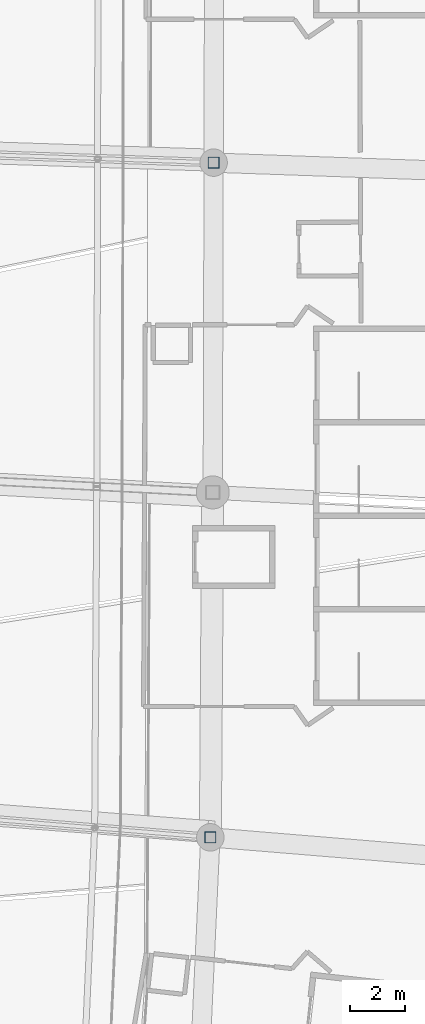
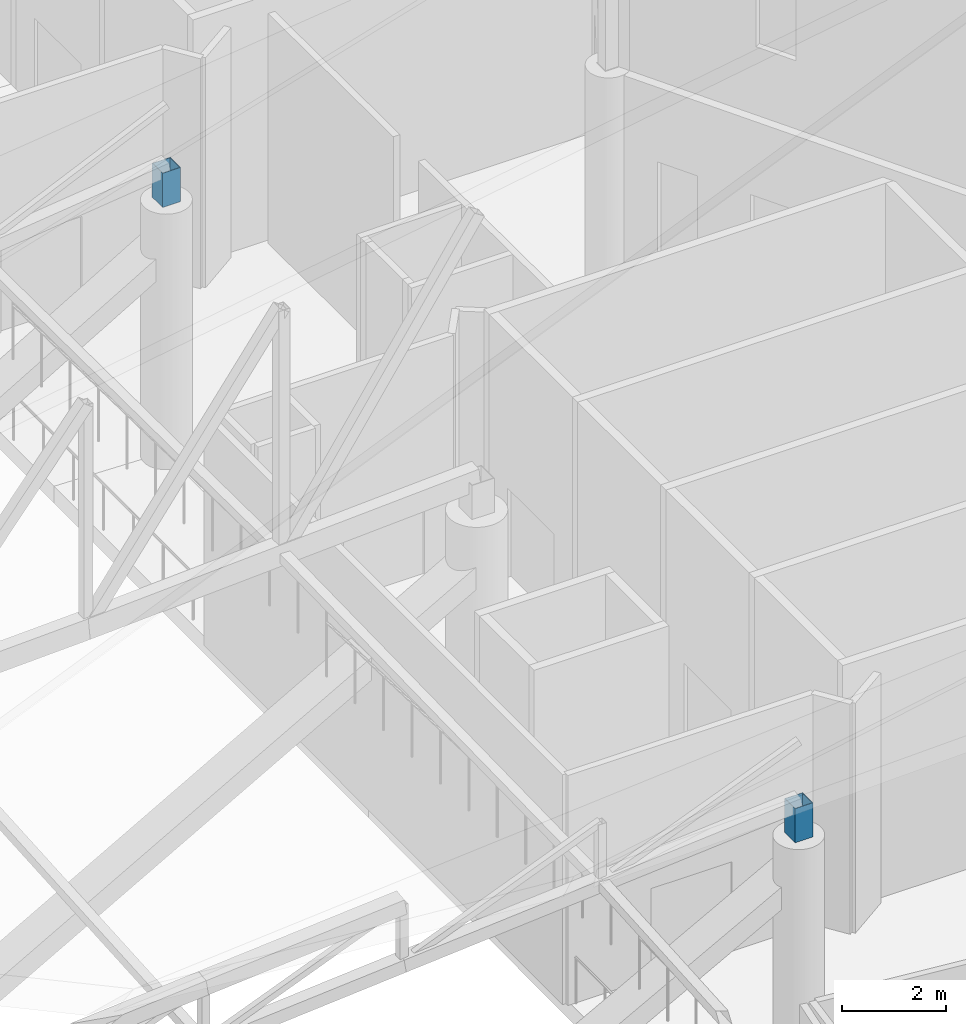
# One storey, part 215 of 344: 2 members.
"""IFC4 building model written with IfcOpenShell, lengths in metres."""

import ifcopenshell
import ifcopenshell.guid

model = None  # the IFC model being written
_history = None  # IfcOwnerHistory: only IFC2X3 demands one
_inside = {}  # id of a spatial element -> (the spatial element, [elements in it])
_under = {}  # id of a project, library or spatial element -> (it, [spatial elements below it])
_declared = {}  # id of a project -> (the project, [libraries it declares])
_typed = {}  # id of a type object -> (the type object, [elements of that type])
_made_of = {}  # id of a material, layer set ... -> (it, [elements and type objects made of it])


def new_model(schema):
    """Start an empty IFC model of exactly this schema.

    Asked for "IFC4X3", IfcOpenShell would pick the latest addendum, in which some entities
    have other attributes; the version numbers below select the first issue.
    IFC2X3 requires an IfcOwnerHistory on every rooted entity: one is made here for all.
    """
    global model, _history
    if schema == "IFC4X3":
        model = ifcopenshell.file(schema_version=(4, 3, 0, 0))
    else:
        model = ifcopenshell.file(schema=schema)
    _inside.clear()
    _under.clear()
    _declared.clear()
    _typed.clear()
    _made_of.clear()
    _history = None
    if model.schema == "IFC2X3":
        org = make("IfcOrganization", Name="unknown")
        user = make(
            "IfcPersonAndOrganization",
            ThePerson=make("IfcPerson", FamilyName="unknown"),
            TheOrganization=org,
        )
        app = make(
            "IfcApplication",
            ApplicationDeveloper=org,
            Version="unknown",
            ApplicationFullName="unknown",
            ApplicationIdentifier="unknown",
        )
        _history = make(
            "IfcOwnerHistory",
            OwningUser=user,
            OwningApplication=app,
            ChangeAction="ADDED",
            CreationDate=0,
        )
    return model


def make(cls, **values):
    """One entity of the class cls with the attributes given. An attribute that is None is left unset."""
    return model.create_entity(
        cls, **{name: value for name, value in values.items() if value is not None}
    )


def rooted(cls, **values):
    """An entity with a GlobalId (a new one), such as an element, a storey or a relation."""
    return make(cls, GlobalId=ifcopenshell.guid.new(), OwnerHistory=_history, **values)


def si_unit(unit_type, name, prefix=None):
    """IfcSIUnit, for example si_unit("LENGTHUNIT", "METRE", prefix="MILLI")."""
    return make("IfcSIUnit", UnitType=unit_type, Prefix=prefix, Name=name)


def assignment(units):
    """IfcUnitAssignment: the units of a project."""
    return None if units is None else make("IfcUnitAssignment", Units=units)


def point(xyz):
    """IfcCartesianPoint."""
    return None if xyz is None else make("IfcCartesianPoint", Coordinates=xyz)


def direction(xyz):
    """IfcDirection."""
    return None if xyz is None else make("IfcDirection", DirectionRatios=xyz)


def frame(location, z_axis=None, x_axis=None):
    """IfcAxis2Placement3D, a coordinate frame: its origin and axes. An axis left out is left unset."""
    return make(
        "IfcAxis2Placement3D",
        Location=point(location),
        Axis=direction(z_axis),
        RefDirection=direction(x_axis),
    )


def frame_2d(location, x_axis=None):
    """IfcAxis2Placement2D, a coordinate frame in the plane: its origin and x axis."""
    return make(
        "IfcAxis2Placement2D", Location=point(location), RefDirection=direction(x_axis)
    )


def origin():
    """The frame at (0, 0, 0) with its axes left unset."""
    return frame((0.0, 0.0, 0.0))


def origin_2d():
    """The frame at (0, 0) in the plane with its x axis left unset."""
    return frame_2d((0.0, 0.0))


def place(relative_to, where):
    """IfcLocalPlacement: puts the frame where relative to a parent placement (None: the world)."""
    return make(
        "IfcLocalPlacement", PlacementRelTo=relative_to, RelativePlacement=where
    )


def context(
    kind, dimensions, precision=None, world=None, true_north=None, identifier=None
):
    """IfcGeometricRepresentationContext, for example the 3D "Model" context."""
    return make(
        "IfcGeometricRepresentationContext",
        ContextIdentifier=identifier,
        ContextType=kind,
        CoordinateSpaceDimension=dimensions,
        Precision=precision,
        WorldCoordinateSystem=world,
        TrueNorth=true_north,
    )


def subcontext(parent, identifier, kind, view, scale=None):
    """IfcGeometricRepresentationSubContext, for example "Body" below "Model"."""
    return make(
        "IfcGeometricRepresentationSubContext",
        ContextIdentifier=identifier,
        ContextType=kind,
        ParentContext=parent,
        TargetScale=scale,
        TargetView=view,
    )


def project(units=None, contexts=None):
    """IfcProject with its units and contexts."""
    return rooted(
        "IfcProject",
        Name="project",
        RepresentationContexts=contexts,
        UnitsInContext=assignment(units),
    )


def spatial(cls, under=None, at=None, **own):
    """A site, building, storey or space (cls), placed at a placement, below another one or the project."""
    s = rooted(cls, ObjectPlacement=at, **own)
    if under is not None:
        _under.setdefault(under.id(), (under, []))[1].append(s)
    return s


def profile(cls, at=None, kind="AREA", **sizes):
    """A parametric profile (cls). Its sizes go by their IFC names, for example OverallWidth=200.0."""
    return make(cls, ProfileType=kind, Position=at, **sizes)


def hollow_rectangle(**sizes):
    """IfcRectangleHollowProfileDef."""
    return profile("IfcRectangleHollowProfileDef", **sizes)


def extrude(swept, where, along, depth):
    """IfcExtrudedAreaSolid: the profile swept, set in the frame where, extruded along a direction by depth."""
    return make(
        "IfcExtrudedAreaSolid",
        SweptArea=swept,
        Position=where,
        ExtrudedDirection=direction(along),
        Depth=depth,
    )


def shape(context_of_items, identifier, shape_type, items):
    """IfcShapeRepresentation: the items that make up one representation, for example the "Body"."""
    return make(
        "IfcShapeRepresentation",
        ContextOfItems=context_of_items,
        RepresentationIdentifier=identifier,
        RepresentationType=shape_type,
        Items=items,
    )


def material(Name=None, Category=None):
    """IfcMaterial."""
    return make("IfcMaterial", Name=Name, Category=Category)


def material_profile(
    of_material, cross_section, Name=None, Category=None, Priority=None
):
    """IfcMaterialProfile: a cross section and its material."""
    return make(
        "IfcMaterialProfile",
        Name=Name,
        Material=of_material,
        Profile=cross_section,
        Priority=Priority,
        Category=Category,
    )


def profile_set(profiles, Name=None, composite=None):
    """IfcMaterialProfileSet."""
    return make(
        "IfcMaterialProfileSet",
        Name=Name,
        MaterialProfiles=profiles,
        CompositeProfile=composite,
    )


def made_of(thing, what):
    """Note that an element or type object is made of a material, layer set ...; save() writes the relation."""
    if what is not None:
        _made_of.setdefault(what.id(), (what, []))[1].append(thing)
    return thing


def type_object(cls, material=None, **own):
    """A type object (cls), such as IfcWallType, which elements share."""
    return made_of(rooted(cls, **own), material)


def element(
    cls,
    number,
    at=None,
    inside=None,
    cuts=None,
    type_object=None,
    material=None,
    context=None,
    identifier="Body",
    shape_type=None,
    held_by="IfcProductDefinitionShape",
    body=None,
    shapes=None,
    **own,
):
    """One element of the class cls, such as IfcWall. Its Tag is "e" and its number.

    at: its placement. inside: the storey or other place that contains it. cuts: it is an
    opening in that element (IfcRelVoidsElement). A single representation is given by context,
    identifier, shape_type and body (its items); several are given by shapes. held_by: the class
    of the entity that holds the representations. save() writes the other relations.
    """
    e = rooted(cls, Tag="e%d" % number, ObjectPlacement=at, **own)
    if body is not None:
        shapes = [shape(context, identifier, shape_type, body)]
    if shapes is not None:
        e.Representation = make(held_by, Representations=shapes)
    if inside is not None:
        _inside.setdefault(inside.id(), (inside, []))[1].append(e)
    if cuts is not None:
        rooted(
            "IfcRelVoidsElement", RelatingBuildingElement=cuts, RelatedOpeningElement=e
        )
    if type_object is not None:
        _typed.setdefault(type_object.id(), (type_object, []))[1].append(e)
    return made_of(e, material)


def aggregate(whole, parts):
    """IfcRelAggregates: a whole, such as a stair, and the parts it consists of."""
    return rooted("IfcRelAggregates", RelatingObject=whole, RelatedObjects=parts)


def save(model, path):
    """Write the relations noted so far, then the file.

    IfcRelAggregates (storeys below a building ...), IfcRelContainedInSpatialStructure (elements
    in a storey), IfcRelDefinesByType, IfcRelAssociatesMaterial and IfcRelDeclares: one each for
    every whole, place, type object, material and project.
    """
    for whole, parts in _under.values():
        aggregate(whole, parts)
    for where, things in _inside.values():
        rooted(
            "IfcRelContainedInSpatialStructure",
            RelatedElements=things,
            RelatingStructure=where,
        )
    for kind, things in _typed.values():
        rooted("IfcRelDefinesByType", RelatedObjects=things, RelatingType=kind)
    for what, things in _made_of.values():
        rooted("IfcRelAssociatesMaterial", RelatedObjects=things, RelatingMaterial=what)
    for by, libraries in _declared.values():
        rooted("IfcRelDeclares", RelatingContext=by, RelatedDefinitions=libraries)
    model.write(path)


model = new_model("IFC4")

# Units and contexts
model_context = context("Model", 3, precision=1e-05, world=origin(), true_north=direction((0.0, 1.0)))
body_context = subcontext(model_context, "Body", "Model", "MODEL_VIEW")
ifc_project = project(units=[si_unit("LENGTHUNIT", "METRE"), si_unit("AREAUNIT", "SQUARE_METRE"), si_unit("VOLUMEUNIT", "CUBIC_METRE"), si_unit("PLANEANGLEUNIT", "RADIAN"), si_unit("MASSUNIT", "GRAM", prefix="KILO")], contexts=[model_context])

# Site, building, storey
site_placement = place(None, origin())
site = spatial("IfcSite", under=ifc_project, at=site_placement, CompositionType="ELEMENT")
building_placement = place(site_placement, origin())
building = spatial("IfcBuilding", under=site, at=building_placement, Name="Meseta Stadium", CompositionType="ELEMENT")
storey_placement = place(building_placement, frame((0.0, 0.0, 24.0)))
storey = spatial("IfcBuildingStorey", under=building, at=storey_placement, Name="L04", CompositionType="ELEMENT", Elevation=24.0)

# Members
ifc_material = material(Name="Steel S355", Category="steel")
ifc_material_profile = material_profile(ifc_material, hollow_rectangle(XDim=0.39990234375, YDim=0.39990234375, WallThickness=0.010009765625, at=origin_2d()), Name="SHS 400x400x10")
ifc_profile_set = profile_set([ifc_material_profile], Name="Steel S355")
member_type = type_object("IfcMemberType", Name="SHS 400x400x10 pedestal", PredefinedType="POST", material=ifc_profile_set)
for number, where, z_axis, x_axis, name in (
    (1, (84.85400390625, -42.948486328125, 6.0), (0.0, 0.0, 1.0), (1.0, 0.0, 0.0), "ROOF TRUSS RT-01 pedestal"),
    (2, (84.97314453125, -18.41064453125, 6.0), (0.0, 0.0, 1.0), (1.0, 0.0, 0.0), "ROOF TRUSS RT-03 pedestal"),
):
    element("IfcMember", number, at=place(storey_placement, frame(where, z_axis=z_axis, x_axis=x_axis)), inside=storey, type_object=member_type, Name=name, PredefinedType="POST", context=body_context, shape_type="SweptSolid", body=[
        extrude(hollow_rectangle(XDim=0.39990234375, YDim=0.39990234375, WallThickness=0.010009765625, at=origin_2d()), origin(), (0.0, 0.0, 1.0), 0.800048828125),
    ])

save(model, "model.ifc")
